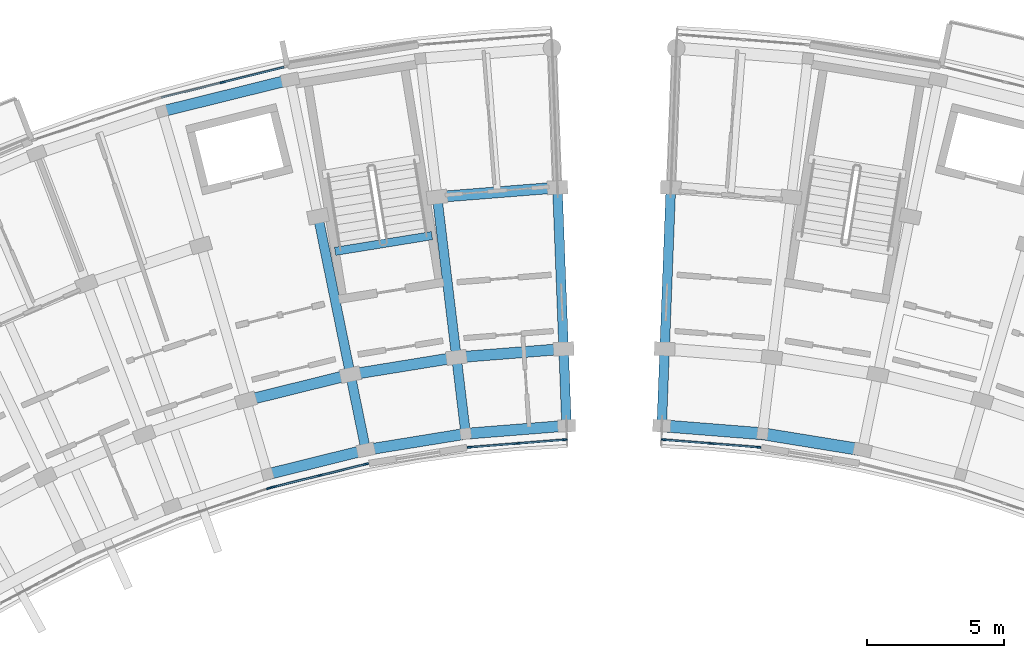
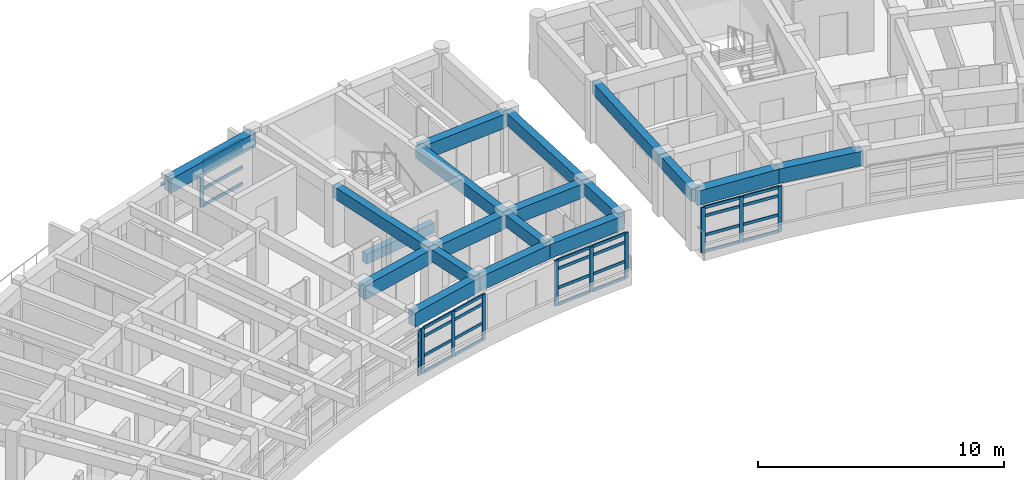
# One storey, part 11 of 50: 40 members, 19 beams, 5 elements without a shape of their own.
"""IFC4 building model written with IfcOpenShell, lengths in metres."""

import ifcopenshell
import ifcopenshell.guid

model = None  # the IFC model being written
_history = None  # IfcOwnerHistory: only IFC2X3 demands one
_inside = {}  # id of a spatial element -> (the spatial element, [elements in it])
_under = {}  # id of a project, library or spatial element -> (it, [spatial elements below it])
_declared = {}  # id of a project -> (the project, [libraries it declares])
_typed = {}  # id of a type object -> (the type object, [elements of that type])
_made_of = {}  # id of a material, layer set ... -> (it, [elements and type objects made of it])


def new_model(schema):
    """Start an empty IFC model of exactly this schema.

    Asked for "IFC4X3", IfcOpenShell would pick the latest addendum, in which some entities
    have other attributes; the version numbers below select the first issue.
    IFC2X3 requires an IfcOwnerHistory on every rooted entity: one is made here for all.
    """
    global model, _history
    if schema == "IFC4X3":
        model = ifcopenshell.file(schema_version=(4, 3, 0, 0))
    else:
        model = ifcopenshell.file(schema=schema)
    _inside.clear()
    _under.clear()
    _declared.clear()
    _typed.clear()
    _made_of.clear()
    _history = None
    if model.schema == "IFC2X3":
        org = make("IfcOrganization", Name="unknown")
        user = make(
            "IfcPersonAndOrganization",
            ThePerson=make("IfcPerson", FamilyName="unknown"),
            TheOrganization=org,
        )
        app = make(
            "IfcApplication",
            ApplicationDeveloper=org,
            Version="unknown",
            ApplicationFullName="unknown",
            ApplicationIdentifier="unknown",
        )
        _history = make(
            "IfcOwnerHistory",
            OwningUser=user,
            OwningApplication=app,
            ChangeAction="ADDED",
            CreationDate=0,
        )
    return model


def make(cls, **values):
    """One entity of the class cls with the attributes given. An attribute that is None is left unset."""
    return model.create_entity(
        cls, **{name: value for name, value in values.items() if value is not None}
    )


def rooted(cls, **values):
    """An entity with a GlobalId (a new one), such as an element, a storey or a relation."""
    return make(cls, GlobalId=ifcopenshell.guid.new(), OwnerHistory=_history, **values)


def si_unit(unit_type, name, prefix=None):
    """IfcSIUnit, for example si_unit("LENGTHUNIT", "METRE", prefix="MILLI")."""
    return make("IfcSIUnit", UnitType=unit_type, Prefix=prefix, Name=name)


def assignment(units):
    """IfcUnitAssignment: the units of a project."""
    return None if units is None else make("IfcUnitAssignment", Units=units)


def point(xyz):
    """IfcCartesianPoint."""
    return None if xyz is None else make("IfcCartesianPoint", Coordinates=xyz)


def direction(xyz):
    """IfcDirection."""
    return None if xyz is None else make("IfcDirection", DirectionRatios=xyz)


def frame(location, z_axis=None, x_axis=None):
    """IfcAxis2Placement3D, a coordinate frame: its origin and axes. An axis left out is left unset."""
    return make(
        "IfcAxis2Placement3D",
        Location=point(location),
        Axis=direction(z_axis),
        RefDirection=direction(x_axis),
    )


def frame_2d(location, x_axis=None):
    """IfcAxis2Placement2D, a coordinate frame in the plane: its origin and x axis."""
    return make(
        "IfcAxis2Placement2D", Location=point(location), RefDirection=direction(x_axis)
    )


def origin():
    """The frame at (0, 0, 0) with its axes left unset."""
    return frame((0.0, 0.0, 0.0))


def origin_2d():
    """The frame at (0, 0) in the plane with its x axis left unset."""
    return frame_2d((0.0, 0.0))


def place(relative_to, where):
    """IfcLocalPlacement: puts the frame where relative to a parent placement (None: the world)."""
    return make(
        "IfcLocalPlacement", PlacementRelTo=relative_to, RelativePlacement=where
    )


def context(
    kind, dimensions, precision=None, world=None, true_north=None, identifier=None
):
    """IfcGeometricRepresentationContext, for example the 3D "Model" context."""
    return make(
        "IfcGeometricRepresentationContext",
        ContextIdentifier=identifier,
        ContextType=kind,
        CoordinateSpaceDimension=dimensions,
        Precision=precision,
        WorldCoordinateSystem=world,
        TrueNorth=true_north,
    )


def subcontext(parent, identifier, kind, view, scale=None):
    """IfcGeometricRepresentationSubContext, for example "Body" below "Model"."""
    return make(
        "IfcGeometricRepresentationSubContext",
        ContextIdentifier=identifier,
        ContextType=kind,
        ParentContext=parent,
        TargetScale=scale,
        TargetView=view,
    )


def project(units=None, contexts=None):
    """IfcProject with its units and contexts."""
    return rooted(
        "IfcProject",
        Name="project",
        RepresentationContexts=contexts,
        UnitsInContext=assignment(units),
    )


def spatial(cls, under=None, at=None, **own):
    """A site, building, storey or space (cls), placed at a placement, below another one or the project."""
    s = rooted(cls, ObjectPlacement=at, **own)
    if under is not None:
        _under.setdefault(under.id(), (under, []))[1].append(s)
    return s


def profile(cls, at=None, kind="AREA", **sizes):
    """A parametric profile (cls). Its sizes go by their IFC names, for example OverallWidth=200.0."""
    return make(cls, ProfileType=kind, Position=at, **sizes)


def rectangle(**sizes):
    """IfcRectangleProfileDef."""
    return profile("IfcRectangleProfileDef", **sizes)


def extrude(swept, where, along, depth):
    """IfcExtrudedAreaSolid: the profile swept, set in the frame where, extruded along a direction by depth."""
    return make(
        "IfcExtrudedAreaSolid",
        SweptArea=swept,
        Position=where,
        ExtrudedDirection=direction(along),
        Depth=depth,
    )


def shape(context_of_items, identifier, shape_type, items):
    """IfcShapeRepresentation: the items that make up one representation, for example the "Body"."""
    return make(
        "IfcShapeRepresentation",
        ContextOfItems=context_of_items,
        RepresentationIdentifier=identifier,
        RepresentationType=shape_type,
        Items=items,
    )


def material(Name=None, Category=None):
    """IfcMaterial."""
    return make("IfcMaterial", Name=Name, Category=Category)


def material_profile(
    of_material, cross_section, Name=None, Category=None, Priority=None
):
    """IfcMaterialProfile: a cross section and its material."""
    return make(
        "IfcMaterialProfile",
        Name=Name,
        Material=of_material,
        Profile=cross_section,
        Priority=Priority,
        Category=Category,
    )


def profile_set(profiles, Name=None, composite=None):
    """IfcMaterialProfileSet."""
    return make(
        "IfcMaterialProfileSet",
        Name=Name,
        MaterialProfiles=profiles,
        CompositeProfile=composite,
    )


def made_of(thing, what):
    """Note that an element or type object is made of a material, layer set ...; save() writes the relation."""
    if what is not None:
        _made_of.setdefault(what.id(), (what, []))[1].append(thing)
    return thing


def type_object(cls, material=None, **own):
    """A type object (cls), such as IfcWallType, which elements share."""
    return made_of(rooted(cls, **own), material)


def element(
    cls,
    number,
    at=None,
    inside=None,
    cuts=None,
    type_object=None,
    material=None,
    context=None,
    identifier="Body",
    shape_type=None,
    held_by="IfcProductDefinitionShape",
    body=None,
    shapes=None,
    **own,
):
    """One element of the class cls, such as IfcWall. Its Tag is "e" and its number.

    at: its placement. inside: the storey or other place that contains it. cuts: it is an
    opening in that element (IfcRelVoidsElement). A single representation is given by context,
    identifier, shape_type and body (its items); several are given by shapes. held_by: the class
    of the entity that holds the representations. save() writes the other relations.
    """
    e = rooted(cls, Tag="e%d" % number, ObjectPlacement=at, **own)
    if body is not None:
        shapes = [shape(context, identifier, shape_type, body)]
    if shapes is not None:
        e.Representation = make(held_by, Representations=shapes)
    if inside is not None:
        _inside.setdefault(inside.id(), (inside, []))[1].append(e)
    if cuts is not None:
        rooted(
            "IfcRelVoidsElement", RelatingBuildingElement=cuts, RelatedOpeningElement=e
        )
    if type_object is not None:
        _typed.setdefault(type_object.id(), (type_object, []))[1].append(e)
    return made_of(e, material)


def aggregate(whole, parts):
    """IfcRelAggregates: a whole, such as a stair, and the parts it consists of."""
    return rooted("IfcRelAggregates", RelatingObject=whole, RelatedObjects=parts)


def save(model, path):
    """Write the relations noted so far, then the file.

    IfcRelAggregates (storeys below a building ...), IfcRelContainedInSpatialStructure (elements
    in a storey), IfcRelDefinesByType, IfcRelAssociatesMaterial and IfcRelDeclares: one each for
    every whole, place, type object, material and project.
    """
    for whole, parts in _under.values():
        aggregate(whole, parts)
    for where, things in _inside.values():
        rooted(
            "IfcRelContainedInSpatialStructure",
            RelatedElements=things,
            RelatingStructure=where,
        )
    for kind, things in _typed.values():
        rooted("IfcRelDefinesByType", RelatedObjects=things, RelatingType=kind)
    for what, things in _made_of.values():
        rooted("IfcRelAssociatesMaterial", RelatedObjects=things, RelatingMaterial=what)
    for by, libraries in _declared.values():
        rooted("IfcRelDeclares", RelatingContext=by, RelatedDefinitions=libraries)
    model.write(path)


model = new_model("IFC4")

# Units and contexts
model_context = context("Model", 3, precision=1e-05, world=origin(), true_north=direction((0.0, 1.0)))
body_context = subcontext(model_context, "Body", "Model", "MODEL_VIEW")
ifc_project = project(units=[si_unit("LENGTHUNIT", "METRE"), si_unit("AREAUNIT", "SQUARE_METRE"), si_unit("VOLUMEUNIT", "CUBIC_METRE"), si_unit("PLANEANGLEUNIT", "RADIAN"), si_unit("MASSUNIT", "GRAM", prefix="KILO")], contexts=[model_context])

# Site, building, storey
site_placement = place(None, origin())
site = spatial("IfcSite", under=ifc_project, at=site_placement, CompositionType="ELEMENT")
building_placement = place(site_placement, origin())
building = spatial("IfcBuilding", under=site, at=building_placement, Name="Zimvara Arc Housing Community", CompositionType="ELEMENT")
storey_placement = place(building_placement, frame((0.0, 0.0, 26.699951171875)))
storey = spatial("IfcBuildingStorey", under=building, at=storey_placement, Name="L08", CompositionType="ELEMENT", Elevation=26.699951171875)

# Beams
ifc_material_1 = material(Name="Concrete C40/50", Category="concrete")
ifc_material_profile_1 = material_profile(ifc_material_1, rectangle(XDim=0.300048828125, YDim=0.5, at=origin_2d()), Name="RC 300x500")
ifc_profile_set_1 = profile_set([ifc_material_profile_1], Name="Concrete C40/50")
beam_type_1 = type_object("IfcBeamType", Name="BM-RC-300x500", PredefinedType="BEAM", material=ifc_profile_set_1)
beam_1_placement = place(storey_placement, frame((38.3662109375, 96.509033203125, -0.25), z_axis=(-0.987080057935, -0.160227835371, 0.0), x_axis=(0.160227835371, -0.987080057935, 0.0)))
element("IfcBeam", 1, at=beam_1_placement, inside=storey, type_object=beam_type_1, Name="bm:stair_trim:ST-A2:L08:near", PredefinedType="BEAM", context=body_context, shape_type="SweptSolid", body=[
    extrude(rectangle(XDim=0.300048828125, YDim=0.5, at=origin_2d()), origin(), (0.0, 0.0, 1.0), 3.570068359375),
])
ifc_material_2 = material(Name="Concrete C40/50", Category="concrete")
ifc_material_profile_2 = material_profile(ifc_material_2, rectangle(XDim=0.35009765625, YDim=0.60009765625, at=origin_2d()), Name="RC 350x600")
ifc_profile_set_2 = profile_set([ifc_material_profile_2], Name="Concrete C40/50")
beam_type_2 = type_object("IfcBeamType", Name="BM-RC-350x600", PredefinedType="BEAM", material=ifc_profile_set_2)
beam_2_placement = place(storey_placement, frame((35.958251953125, 88.704833984375, 2.580078125), z_axis=(-0.20037341071, 0.979719600845, 0.0), x_axis=(-0.979719600845, -0.20037341071, 0.0)))
element("IfcBeam", 2, at=beam_2_placement, inside=storey, type_object=beam_type_2, Name="bm:blkA:L08:rad:b8:r01", PredefinedType="BEAM", context=body_context, shape_type="SweptSolid", body=[
    extrude(rectangle(XDim=0.35009765625, YDim=0.60009765625, at=origin_2d()), origin(), (0.0, 0.0, 1.0), 2.800048828125),
])
beam_3_placement = place(storey_placement, frame((35.397216796875, 91.447998046875, 2.580078125), z_axis=(-0.200417973989, 0.979710485655, 0.0), x_axis=(-0.979710485655, -0.200417973989, 0.0)))
element("IfcBeam", 3, at=beam_3_placement, inside=storey, type_object=beam_type_2, Name="bm:blkA:L08:rad:b8:r12", PredefinedType="BEAM", context=body_context, shape_type="SweptSolid", body=[
    extrude(rectangle(XDim=0.35009765625, YDim=0.60009765625, at=origin_2d()), origin(), (0.0, 0.0, 1.0), 5.880126953125),
])
beam_4_placement = place(storey_placement, frame((39.594970703125, 89.295166015625, 2.580078125), z_axis=(-0.119719398078, 0.992807768767, 0.0), x_axis=(-0.992807768767, -0.119719398078, 0.0)))
element("IfcBeam", 4, at=beam_4_placement, inside=storey, type_object=beam_type_2, Name="bm:blkA:L08:rad:b9:r01", PredefinedType="BEAM", context=body_context, shape_type="SweptSolid", body=[
    extrude(rectangle(XDim=0.35009765625, YDim=0.60009765625, at=origin_2d()), origin(), (0.0, 0.0, 1.0), 2.7998046875),
])
beam_5_placement = place(storey_placement, frame((39.259765625, 92.074951171875, 2.580078125), z_axis=(-0.119827921695, 0.992794676246, 0.0), x_axis=(-0.992794676246, -0.119827921695, 0.0)))
element("IfcBeam", 5, at=beam_5_placement, inside=storey, type_object=beam_type_2, Name="bm:blkA:L08:rad:b9:r12", PredefinedType="BEAM", context=body_context, shape_type="SweptSolid", body=[
    extrude(rectangle(XDim=0.35009765625, YDim=0.60009765625, at=origin_2d()), origin(), (0.0, 0.0, 1.0), 5.880126953125),
])
beam_6_placement = place(storey_placement, frame((43.267822265625, 89.586669921875, 2.580078125), z_axis=(-0.038362804793, 0.999263876665, 0.0), x_axis=(-0.999263876665, -0.038362804793, 0.0)))
element("IfcBeam", 6, at=beam_6_placement, inside=storey, type_object=beam_type_2, Name="bm:blkA:L08:rad:b10:r01", PredefinedType="BEAM", context=body_context, shape_type="SweptSolid", body=[
    extrude(rectangle(XDim=0.35009765625, YDim=0.60009765625, at=origin_2d()), origin(), (0.0, 0.0, 1.0), 2.800048828125),
])
beam_7_placement = place(storey_placement, frame((43.160400390625, 92.384765625, 2.580078125), z_axis=(-0.038366147405, 0.999263748333, 0.0), x_axis=(-0.999263748333, -0.038366147405, 0.0)))
element("IfcBeam", 7, at=beam_7_placement, inside=storey, type_object=beam_type_2, Name="bm:blkA:L08:rad:b10:r12", PredefinedType="BEAM", context=body_context, shape_type="SweptSolid", body=[
    extrude(rectangle(XDim=0.35009765625, YDim=0.60009765625, at=origin_2d()), origin(), (0.0, 0.0, 1.0), 5.8798828125),
])
beam_8_placement = place(storey_placement, frame((46.732177734375, 89.586669921875, 2.580078125), z_axis=(0.038362804793, 0.999263876665, 0.0), x_axis=(-0.999263876665, 0.038362804793, 0.0)))
element("IfcBeam", 8, at=beam_8_placement, inside=storey, type_object=beam_type_2, Name="bm:blkB:L08:rad:b0:r01", PredefinedType="BEAM", context=body_context, shape_type="SweptSolid", body=[
    extrude(rectangle(XDim=0.35009765625, YDim=0.60009765625, at=origin_2d()), origin(), (0.0, 0.0, 1.0), 2.800048828125),
])
beam_9_placement = place(storey_placement, frame((46.839599609375, 92.384765625, 2.580078125), z_axis=(0.038366147405, 0.999263748333, 0.0), x_axis=(-0.999263748333, 0.038366147405, 0.0)))
element("IfcBeam", 9, at=beam_9_placement, inside=storey, type_object=beam_type_2, Name="bm:blkB:L08:rad:b0:r12", PredefinedType="BEAM", context=body_context, shape_type="SweptSolid", body=[
    extrude(rectangle(XDim=0.35009765625, YDim=0.60009765625, at=origin_2d()), origin(), (0.0, 0.0, 1.0), 5.8798828125),
])
ifc_material_3 = material(Name="Concrete C40/50", Category="concrete")
ifc_material_profile_3 = material_profile(ifc_material_3, rectangle(XDim=0.39990234375, YDim=0.699951171875, at=origin_2d()), Name="RC 400x700")
ifc_profile_set_3 = profile_set([ifc_material_profile_3], Name="Concrete C40/50")
beam_type_3 = type_object("IfcBeamType", Name="BM-RC-400x700", PredefinedType="BEAM", material=ifc_profile_set_3)
beam_10_placement = place(storey_placement, frame((32.381591796875, 87.819580078125, 2.530029296875), z_axis=(0.970708886215, 0.240258731837, 0.0), x_axis=(-0.240258731837, 0.970708886215, 0.0)))
element("IfcBeam", 10, at=beam_10_placement, inside=storey, type_object=beam_type_3, Name="bm:blkA:L08:chord:r0:b7", PredefinedType="BEAM", context=body_context, shape_type="SweptSolid", body=[
    extrude(rectangle(XDim=0.39990234375, YDim=0.699951171875, at=origin_2d()), origin(), (0.0, 0.0, 1.0), 3.6845703125),
])
for number, where, z_axis, x_axis, name in (
    (11, (35.958251953125, 88.704833984375, 2.530029296875), (0.987079996944, 0.160228211104, 0.0), (-0.160228211104, 0.987079996944, 0.0), "bm:blkA:L08:chord:r0:b8"),
    (12, (39.594970703125, 89.295166015625, 2.530029296875), (0.996865226667, 0.079118391428, 0.0), (-0.079118391428, 0.996865226667, 0.0), "bm:blkA:L08:chord:r0:b9"),
):
    element("IfcBeam", number, at=place(storey_placement, frame(where, z_axis=z_axis, x_axis=x_axis)), inside=storey, type_object=beam_type_3, Name=name, PredefinedType="BEAM", context=body_context, shape_type="SweptSolid", body=[
        extrude(rectangle(XDim=0.39990234375, YDim=0.699951171875, at=origin_2d()), origin(), (0.0, 0.0, 1.0), 3.684326171875),
    ])
for number, where, z_axis, x_axis, name in (
    (13, (31.5986328125, 90.5078125, 2.530029296875), (0.970708671682, 0.240259598602, 0.0), (-0.240259598602, 0.970708671682, 0.0), "bm:blkA:L08:chord:r1:b7"),
    (14, (35.397216796875, 91.447998046875, 2.530029296875), (0.987081487371, 0.160219029111, 0.0), (-0.160219029111, 0.987081487371, 0.0), "bm:blkA:L08:chord:r1:b8"),
):
    element("IfcBeam", number, at=place(storey_placement, frame(where, z_axis=z_axis, x_axis=x_axis)), inside=storey, type_object=beam_type_3, Name=name, PredefinedType="BEAM", context=body_context, shape_type="SweptSolid", body=[
        extrude(rectangle(XDim=0.39990234375, YDim=0.699951171875, at=origin_2d()), origin(), (0.0, 0.0, 1.0), 3.9130859375),
    ])
beam_11_placement = place(storey_placement, frame((39.259765625, 92.074951171875, 2.530029296875), z_axis=(0.99686054795, 0.079177319606, 0.0), x_axis=(-0.079177319606, 0.99686054795, 0.0)))
element("IfcBeam", 15, at=beam_11_placement, inside=storey, type_object=beam_type_3, Name="bm:blkA:L08:chord:r1:b9", PredefinedType="BEAM", context=body_context, shape_type="SweptSolid", body=[
    extrude(rectangle(XDim=0.39990234375, YDim=0.699951171875, at=origin_2d()), origin(), (0.0, 0.0, 1.0), 3.912841796875),
])
beam_12_placement = place(storey_placement, frame((38.55517578125, 97.91259765625, 2.530029296875), z_axis=(0.996864209836, 0.079131202119, 0.0), x_axis=(-0.079131202119, 0.996864209836, 0.0)))
element("IfcBeam", 16, at=beam_12_placement, inside=storey, type_object=beam_type_3, Name="bm:blkA:L08:chord:r2:b9", PredefinedType="BEAM", context=body_context, shape_type="SweptSolid", body=[
    extrude(rectangle(XDim=0.39990234375, YDim=0.699951171875, at=origin_2d()), origin(), (0.0, 0.0, 1.0), 4.393310546875),
])
beam_13_placement = place(storey_placement, frame((28.533447265625, 101.030517578125, 2.530029296875), z_axis=(0.970716235341, 0.240229037474, 0.0), x_axis=(-0.240229037474, 0.970716235341, 0.0)))
element("IfcBeam", 17, at=beam_13_placement, inside=storey, type_object=beam_type_3, Name="bm:blkA:L08:chord:r3:b7", PredefinedType="BEAM", context=body_context, shape_type="SweptSolid", body=[
    extrude(rectangle(XDim=0.39990234375, YDim=0.699951171875, at=origin_2d()), origin(), (0.0, 0.0, 1.0), 4.80810546875),
])
ifc_material_4 = material(Name="Concrete C40/50", Category="concrete")
ifc_material_profile_4 = material_profile(ifc_material_4, rectangle(XDim=0.43994140625, YDim=0.719970703125, at=origin_2d()), Name="RC 440x720")
ifc_profile_set_4 = profile_set([ifc_material_profile_4], Name="Concrete C40/50")
beam_type_4 = type_object("IfcBeamType", Name="BM-RC-440x720", PredefinedType="BEAM", material=ifc_profile_set_4)
for number, where, z_axis, x_axis, name in (
    (18, (46.732177734375, 89.586669921875, 2.52001953125), (0.996865226667, -0.079118391428, 0.0), (0.079118391428, 0.996865226667, 0.0), "bm:blkB:L08:chord:r0:b0"),
    (19, (50.405029296875, 89.295166015625, 2.52001953125), (0.987079996944, -0.160228211104, 0.0), (0.160228211104, 0.987079996944, 0.0), "bm:blkB:L08:chord:r0:b1"),
):
    element("IfcBeam", number, at=place(storey_placement, frame(where, z_axis=z_axis, x_axis=x_axis)), inside=storey, type_object=beam_type_4, Name=name, PredefinedType="BEAM", context=body_context, shape_type="SweptSolid", body=[
        extrude(rectangle(XDim=0.43994140625, YDim=0.719970703125, at=origin_2d()), origin(), (0.0, 0.0, 1.0), 3.684326171875),
    ])

# Curtain wall, member
ifc_material_5 = material(Name="Anodised Aluminium AW-6063", Category="aluminium")
curtain_wall_type_1 = type_object("IfcCurtainWallType", Name="CW-SYS-06", PredefinedType="USERDEFINED", material=ifc_material_5)
curtain_wall_1_placement = place(storey_placement, origin())
curtain_wall_1 = element("IfcCurtainWall", 20, at=curtain_wall_1_placement, inside=storey, type_object=curtain_wall_type_1, Name="cw:blkA:L08:in:b6", ObjectType="CURTAIN WALL", PredefinedType="USERDEFINED")
ifc_material_6 = material(Name="Anodised Aluminium AW-6063", Category="aluminium")
ifc_material_profile_5 = material_profile(ifc_material_6, rectangle(XDim=0.06494140625, YDim=0.179931640625, at=origin_2d()), Name="ALU 65x180")
ifc_profile_set_5 = profile_set([ifc_material_profile_5], Name="Anodised Aluminium AW-6063")
member_type_1 = type_object("IfcMemberType", Name="CWM-65x150", PredefinedType="MULLION", material=ifc_profile_set_5)
member_1_placement = place(storey_placement, frame((32.433837890625, 87.31005859375, 0.0), z_axis=(0.0, 0.0, 1.0), x_axis=(-0.318630249383, 0.94787908732, 0.0)))
member_1 = element("IfcMember", 21, at=member_1_placement, type_object=member_type_1, Name="CW06 mullion 3", PredefinedType="MULLION", context=body_context, shape_type="SweptSolid", body=[
    extrude(rectangle(XDim=0.06494140625, YDim=0.179931640625, at=origin_2d()), origin(), (0.0, 0.0, 1.0), 2.25),
])
aggregate(curtain_wall_1, [member_1])

# Curtain wall, members
ifc_material_7 = material(Name="Anodised Aluminium AW-6063", Category="aluminium")
curtain_wall_type_2 = type_object("IfcCurtainWallType", Name="CW-SYS-08", PredefinedType="USERDEFINED", material=ifc_material_7)
curtain_wall_2_placement = place(storey_placement, origin())
curtain_wall_2 = element("IfcCurtainWall", 22, at=curtain_wall_2_placement, inside=storey, type_object=curtain_wall_type_2, Name="cw:blkA:L08:in:b7", ObjectType="CURTAIN WALL", PredefinedType="USERDEFINED")
member_2_placement = place(storey_placement, frame((32.611328125, 87.36181640625, 0.0), z_axis=(0.0, 0.0, 1.0), x_axis=(-0.240227815706, 0.970716537698, 0.0)))
member_2 = element("IfcMember", 23, at=member_2_placement, type_object=member_type_1, Name="CW08 mullion 1", PredefinedType="MULLION", context=body_context, shape_type="SweptSolid", body=[
    extrude(rectangle(XDim=0.06494140625, YDim=0.179931640625, at=origin_2d()), origin(), (0.0, 0.0, 1.0), 2.25),
])
member_3_placement = place(storey_placement, frame((34.2900390625, 87.77734375, 0.0), z_axis=(0.0, 0.0, 1.0), x_axis=(-0.240227815706, 0.970716537698, 0.0)))
member_3 = element("IfcMember", 24, at=member_3_placement, type_object=member_type_1, Name="CW08 mullion 2", PredefinedType="MULLION", context=body_context, shape_type="SweptSolid", body=[
    extrude(rectangle(XDim=0.06494140625, YDim=0.179931640625, at=origin_2d()), origin(), (0.0, 0.0, 1.0), 2.25),
])
member_4_placement = place(storey_placement, frame((35.96875, 88.192626953125, 0.0), z_axis=(0.0, 0.0, 1.0), x_axis=(-0.240227815706, 0.970716537698, 0.0)))
member_4 = element("IfcMember", 25, at=member_4_placement, type_object=member_type_1, Name="CW08 mullion 3", PredefinedType="MULLION", context=body_context, shape_type="SweptSolid", body=[
    extrude(rectangle(XDim=0.06494140625, YDim=0.179931640625, at=origin_2d()), origin(), (0.0, 0.0, 1.0), 2.25),
])

ifc_material_8 = material(Name="Anodised Aluminium AW-6063", Category="aluminium")
curtain_wall_type_3 = type_object("IfcCurtainWallType", Name="CW-SYS-02", PredefinedType="USERDEFINED", material=ifc_material_8)
curtain_wall_3_placement = place(storey_placement, origin())
curtain_wall_3 = element("IfcCurtainWall", 26, at=curtain_wall_3_placement, inside=storey, type_object=curtain_wall_type_3, Name="cw:blkA:L08:in:b9", ObjectType="CURTAIN WALL", PredefinedType="USERDEFINED")
member_5_placement = place(storey_placement, frame((39.7470703125, 88.805908203125, 0.0), z_axis=(0.0, 0.0, 1.0), x_axis=(-0.079154709897, 0.996862343506, 0.0)))
member_5 = element("IfcMember", 27, at=member_5_placement, type_object=member_type_1, Name="CW02 mullion 1", PredefinedType="MULLION", context=body_context, shape_type="SweptSolid", body=[
    extrude(rectangle(XDim=0.06494140625, YDim=0.179931640625, at=origin_2d()), origin(), (0.0, 0.0, 1.0), 2.25),
])
member_6_placement = place(storey_placement, frame((41.470947265625, 88.94287109375, 0.0), z_axis=(0.0, 0.0, 1.0), x_axis=(-0.079154709897, 0.996862343506, 0.0)))
member_6 = element("IfcMember", 28, at=member_6_placement, type_object=member_type_1, Name="CW02 mullion 2", PredefinedType="MULLION", context=body_context, shape_type="SweptSolid", body=[
    extrude(rectangle(XDim=0.06494140625, YDim=0.179931640625, at=origin_2d()), origin(), (0.0, 0.0, 1.0), 2.25),
])
member_7_placement = place(storey_placement, frame((43.19482421875, 89.079833984375, 0.0), z_axis=(0.0, 0.0, 1.0), x_axis=(-0.079154709897, 0.996862343506, 0.0)))
member_7 = element("IfcMember", 29, at=member_7_placement, type_object=member_type_1, Name="CW02 mullion 3", PredefinedType="MULLION", context=body_context, shape_type="SweptSolid", body=[
    extrude(rectangle(XDim=0.06494140625, YDim=0.179931640625, at=origin_2d()), origin(), (0.0, 0.0, 1.0), 2.25),
])

curtain_wall_4_placement = place(storey_placement, origin())
curtain_wall_4 = element("IfcCurtainWall", 30, at=curtain_wall_4_placement, inside=storey, type_object=curtain_wall_type_1, Name="cw:blkB:L08:in:b0", ObjectType="CURTAIN WALL", PredefinedType="USERDEFINED")
member_8_placement = place(storey_placement, frame((46.80517578125, 89.079833984375, 0.0), z_axis=(0.0, 0.0, 1.0), x_axis=(0.079154709897, 0.996862343506, 0.0)))
member_8 = element("IfcMember", 31, at=member_8_placement, type_object=member_type_1, Name="CW06 mullion 1", PredefinedType="MULLION", context=body_context, shape_type="SweptSolid", body=[
    extrude(rectangle(XDim=0.06494140625, YDim=0.179931640625, at=origin_2d()), origin(), (0.0, 0.0, 1.0), 2.25),
])
member_9_placement = place(storey_placement, frame((48.529052734375, 88.94287109375, 0.0), z_axis=(0.0, 0.0, 1.0), x_axis=(0.079154709897, 0.996862343506, 0.0)))
member_9 = element("IfcMember", 32, at=member_9_placement, type_object=member_type_1, Name="CW06 mullion 2", PredefinedType="MULLION", context=body_context, shape_type="SweptSolid", body=[
    extrude(rectangle(XDim=0.06494140625, YDim=0.179931640625, at=origin_2d()), origin(), (0.0, 0.0, 1.0), 2.25),
])
member_10_placement = place(storey_placement, frame((50.2529296875, 88.805908203125, 0.0), z_axis=(0.0, 0.0, 1.0), x_axis=(0.079154709897, 0.996862343506, 0.0)))
member_10 = element("IfcMember", 33, at=member_10_placement, type_object=member_type_1, Name="CW06 mullion 3", PredefinedType="MULLION", context=body_context, shape_type="SweptSolid", body=[
    extrude(rectangle(XDim=0.06494140625, YDim=0.179931640625, at=origin_2d()), origin(), (0.0, 0.0, 1.0), 2.25),
])

# Curtain wall, member
ifc_material_9 = material(Name="Anodised Aluminium AW-6063", Category="aluminium")
curtain_wall_type_4 = type_object("IfcCurtainWallType", Name="CW-SYS-07", PredefinedType="USERDEFINED", material=ifc_material_9)
curtain_wall_5_placement = place(storey_placement, origin())
curtain_wall_5 = element("IfcCurtainWall", 34, at=curtain_wall_5_placement, inside=storey, type_object=curtain_wall_type_4, Name="cw:blkA:L08:out:b7", ObjectType="CURTAIN WALL", PredefinedType="USERDEFINED")
ifc_material_10 = material(Name="Anodised Aluminium AW-6063", Category="aluminium")
ifc_material_profile_6 = material_profile(ifc_material_10, rectangle(XDim=0.06494140625, YDim=0.195068359375, at=origin_2d()), Name="ALU 65x195")
ifc_profile_set_6 = profile_set([ifc_material_profile_6], Name="Anodised Aluminium AW-6063")
member_type_2 = type_object("IfcMemberType", Name="CWM-65x180", PredefinedType="MULLION", material=ifc_profile_set_6)
member_11_placement = place(storey_placement, frame((30.7470703125, 102.093017578125, 0.0), z_axis=(0.0, 0.0, 1.0), x_axis=(-0.240229711131, 0.970716068627, 0.0)))
member_11 = element("IfcMember", 35, at=member_11_placement, type_object=member_type_2, Name="CW07 mullion 2", PredefinedType="MULLION", context=body_context, shape_type="SweptSolid", body=[
    extrude(rectangle(XDim=0.06494140625, YDim=0.195068359375, at=origin_2d()), origin(), (0.0, 0.0, 1.0), 2.25),
])

# Member
ifc_material_11 = material(Name="Anodised Aluminium AW-6063", Category="aluminium")
ifc_material_profile_7 = material_profile(ifc_material_11, rectangle(XDim=0.06494140625, YDim=0.139892578125, at=origin_2d()), Name="ALU 65x140")
ifc_profile_set_7 = profile_set([ifc_material_profile_7], Name="Anodised Aluminium AW-6063")
member_type_3 = type_object("IfcMemberType", Name="CWT-65x120", PredefinedType="USERDEFINED", material=ifc_profile_set_7)
member_12_placement = place(storey_placement, frame((32.642822265625, 87.36962890625, 0.032470703125), z_axis=(0.970700809973, 0.24029135964, 0.0), x_axis=(-0.24029135964, 0.970700809973, 0.0)))
member_12 = element("IfcMember", 36, at=member_12_placement, type_object=member_type_3, Name="CW08 transom 1.1", ObjectType="TRANSOM", PredefinedType="USERDEFINED", context=body_context, shape_type="SweptSolid", body=[
    extrude(rectangle(XDim=0.06494140625, YDim=0.139892578125, at=origin_2d()), origin(), (0.0, 0.0, 1.0), 1.664306640625),
])

member_13_placement = place(storey_placement, frame((32.642822265625, 87.36962890625, 0.85009765625), z_axis=(0.970700809973, 0.24029135964, 0.0), x_axis=(-0.24029135964, 0.970700809973, 0.0)))
member_13 = element("IfcMember", 37, at=member_13_placement, type_object=member_type_3, Name="CW08 transom 1.2", ObjectType="TRANSOM", PredefinedType="USERDEFINED", context=body_context, shape_type="SweptSolid", body=[
    extrude(rectangle(XDim=0.06494140625, YDim=0.139892578125, at=origin_2d()), origin(), (0.0, 0.0, 1.0), 1.664306640625),
])

member_14_placement = place(storey_placement, frame((32.642822265625, 87.36962890625, 1.800048828125), z_axis=(0.970700809973, 0.24029135964, 0.0), x_axis=(-0.24029135964, 0.970700809973, 0.0)))
member_14 = element("IfcMember", 38, at=member_14_placement, type_object=member_type_3, Name="CW08 transom 1.3", ObjectType="TRANSOM", PredefinedType="USERDEFINED", context=body_context, shape_type="SweptSolid", body=[
    extrude(rectangle(XDim=0.06494140625, YDim=0.139892578125, at=origin_2d()), origin(), (0.0, 0.0, 1.0), 1.664306640625),
])

member_15_placement = place(storey_placement, frame((32.642822265625, 87.36962890625, 2.217529296875), z_axis=(0.970700809973, 0.24029135964, 0.0), x_axis=(-0.24029135964, 0.970700809973, 0.0)))
member_15 = element("IfcMember", 39, at=member_15_placement, type_object=member_type_3, Name="CW08 transom 1.4", ObjectType="TRANSOM", PredefinedType="USERDEFINED", context=body_context, shape_type="SweptSolid", body=[
    extrude(rectangle(XDim=0.06494140625, YDim=0.139892578125, at=origin_2d()), origin(), (0.0, 0.0, 1.0), 1.664306640625),
])

member_16_placement = place(storey_placement, frame((34.321533203125, 87.78515625, 0.032470703125), z_axis=(0.970735018799, 0.240153124645, 0.0), x_axis=(-0.240153124645, 0.970735018799, 0.0)))
member_16 = element("IfcMember", 40, at=member_16_placement, type_object=member_type_3, Name="CW08 transom 2.1", ObjectType="TRANSOM", PredefinedType="USERDEFINED", context=body_context, shape_type="SweptSolid", body=[
    extrude(rectangle(XDim=0.06494140625, YDim=0.139892578125, at=origin_2d()), origin(), (0.0, 0.0, 1.0), 1.6640625),
])

member_17_placement = place(storey_placement, frame((34.321533203125, 87.78515625, 0.85009765625), z_axis=(0.970735018799, 0.240153124645, 0.0), x_axis=(-0.240153124645, 0.970735018799, 0.0)))
member_17 = element("IfcMember", 41, at=member_17_placement, type_object=member_type_3, Name="CW08 transom 2.2", ObjectType="TRANSOM", PredefinedType="USERDEFINED", context=body_context, shape_type="SweptSolid", body=[
    extrude(rectangle(XDim=0.06494140625, YDim=0.139892578125, at=origin_2d()), origin(), (0.0, 0.0, 1.0), 1.6640625),
])

member_18_placement = place(storey_placement, frame((34.321533203125, 87.78515625, 1.800048828125), z_axis=(0.970735018799, 0.240153124645, 0.0), x_axis=(-0.240153124645, 0.970735018799, 0.0)))
member_18 = element("IfcMember", 42, at=member_18_placement, type_object=member_type_3, Name="CW08 transom 2.3", ObjectType="TRANSOM", PredefinedType="USERDEFINED", context=body_context, shape_type="SweptSolid", body=[
    extrude(rectangle(XDim=0.06494140625, YDim=0.139892578125, at=origin_2d()), origin(), (0.0, 0.0, 1.0), 1.6640625),
])

member_19_placement = place(storey_placement, frame((34.321533203125, 87.78515625, 2.217529296875), z_axis=(0.970735018799, 0.240153124645, 0.0), x_axis=(-0.240153124645, 0.970735018799, 0.0)))
member_19 = element("IfcMember", 43, at=member_19_placement, type_object=member_type_3, Name="CW08 transom 2.4", ObjectType="TRANSOM", PredefinedType="USERDEFINED", context=body_context, shape_type="SweptSolid", body=[
    extrude(rectangle(XDim=0.06494140625, YDim=0.139892578125, at=origin_2d()), origin(), (0.0, 0.0, 1.0), 1.6640625),
])

aggregate(curtain_wall_2, [member_2, member_3, member_4, member_12, member_13, member_14, member_15, member_16, member_17, member_18, member_19])

member_20_placement = place(storey_placement, frame((39.779541015625, 88.80859375, 0.032470703125), z_axis=(0.99685804311, 0.079208849806, 0.0), x_axis=(-0.079208849806, 0.99685804311, 0.0)))
member_20 = element("IfcMember", 44, at=member_20_placement, type_object=member_type_3, Name="CW02 transom 1.1", ObjectType="TRANSOM", PredefinedType="USERDEFINED", context=body_context, shape_type="SweptSolid", body=[
    extrude(rectangle(XDim=0.06494140625, YDim=0.139892578125, at=origin_2d()), origin(), (0.0, 0.0, 1.0), 1.664306640625),
])

member_21_placement = place(storey_placement, frame((39.779541015625, 88.80859375, 0.85009765625), z_axis=(0.99685804311, 0.079208849806, 0.0), x_axis=(-0.079208849806, 0.99685804311, 0.0)))
member_21 = element("IfcMember", 45, at=member_21_placement, type_object=member_type_3, Name="CW02 transom 1.2", ObjectType="TRANSOM", PredefinedType="USERDEFINED", context=body_context, shape_type="SweptSolid", body=[
    extrude(rectangle(XDim=0.06494140625, YDim=0.139892578125, at=origin_2d()), origin(), (0.0, 0.0, 1.0), 1.664306640625),
])

member_22_placement = place(storey_placement, frame((39.779541015625, 88.80859375, 1.800048828125), z_axis=(0.99685804311, 0.079208849806, 0.0), x_axis=(-0.079208849806, 0.99685804311, 0.0)))
member_22 = element("IfcMember", 46, at=member_22_placement, type_object=member_type_3, Name="CW02 transom 1.3", ObjectType="TRANSOM", PredefinedType="USERDEFINED", context=body_context, shape_type="SweptSolid", body=[
    extrude(rectangle(XDim=0.06494140625, YDim=0.139892578125, at=origin_2d()), origin(), (0.0, 0.0, 1.0), 1.664306640625),
])

member_23_placement = place(storey_placement, frame((39.779541015625, 88.80859375, 2.217529296875), z_axis=(0.99685804311, 0.079208849806, 0.0), x_axis=(-0.079208849806, 0.99685804311, 0.0)))
member_23 = element("IfcMember", 47, at=member_23_placement, type_object=member_type_3, Name="CW02 transom 1.4", ObjectType="TRANSOM", PredefinedType="USERDEFINED", context=body_context, shape_type="SweptSolid", body=[
    extrude(rectangle(XDim=0.06494140625, YDim=0.139892578125, at=origin_2d()), origin(), (0.0, 0.0, 1.0), 1.664306640625),
])

member_24_placement = place(storey_placement, frame((41.50341796875, 88.945556640625, 0.032470703125), z_axis=(0.996869614678, 0.079063084507, 0.0), x_axis=(-0.079063084507, 0.996869614678, 0.0)))
member_24 = element("IfcMember", 48, at=member_24_placement, type_object=member_type_3, Name="CW02 transom 2.1", ObjectType="TRANSOM", PredefinedType="USERDEFINED", context=body_context, shape_type="SweptSolid", body=[
    extrude(rectangle(XDim=0.06494140625, YDim=0.139892578125, at=origin_2d()), origin(), (0.0, 0.0, 1.0), 1.664306640625),
])

member_25_placement = place(storey_placement, frame((41.50341796875, 88.945556640625, 0.85009765625), z_axis=(0.996869614678, 0.079063084507, 0.0), x_axis=(-0.079063084507, 0.996869614678, 0.0)))
member_25 = element("IfcMember", 49, at=member_25_placement, type_object=member_type_3, Name="CW02 transom 2.2", ObjectType="TRANSOM", PredefinedType="USERDEFINED", context=body_context, shape_type="SweptSolid", body=[
    extrude(rectangle(XDim=0.06494140625, YDim=0.139892578125, at=origin_2d()), origin(), (0.0, 0.0, 1.0), 1.664306640625),
])

member_26_placement = place(storey_placement, frame((41.50341796875, 88.945556640625, 1.800048828125), z_axis=(0.996869614678, 0.079063084507, 0.0), x_axis=(-0.079063084507, 0.996869614678, 0.0)))
member_26 = element("IfcMember", 50, at=member_26_placement, type_object=member_type_3, Name="CW02 transom 2.3", ObjectType="TRANSOM", PredefinedType="USERDEFINED", context=body_context, shape_type="SweptSolid", body=[
    extrude(rectangle(XDim=0.06494140625, YDim=0.139892578125, at=origin_2d()), origin(), (0.0, 0.0, 1.0), 1.664306640625),
])

member_27_placement = place(storey_placement, frame((41.50341796875, 88.945556640625, 2.217529296875), z_axis=(0.996869614678, 0.079063084507, 0.0), x_axis=(-0.079063084507, 0.996869614678, 0.0)))
member_27 = element("IfcMember", 51, at=member_27_placement, type_object=member_type_3, Name="CW02 transom 2.4", ObjectType="TRANSOM", PredefinedType="USERDEFINED", context=body_context, shape_type="SweptSolid", body=[
    extrude(rectangle(XDim=0.06494140625, YDim=0.139892578125, at=origin_2d()), origin(), (0.0, 0.0, 1.0), 1.664306640625),
])

aggregate(curtain_wall_3, [member_5, member_6, member_7, member_20, member_21, member_22, member_23, member_24, member_25, member_26, member_27])

member_28_placement = place(storey_placement, frame((46.83740234375, 89.0771484375, 0.032470703125), z_axis=(0.996869614678, -0.079063084507, 0.0), x_axis=(0.079063084507, 0.996869614678, 0.0)))
member_28 = element("IfcMember", 52, at=member_28_placement, type_object=member_type_3, Name="CW06 transom 1.1", ObjectType="TRANSOM", PredefinedType="USERDEFINED", context=body_context, shape_type="SweptSolid", body=[
    extrude(rectangle(XDim=0.06494140625, YDim=0.139892578125, at=origin_2d()), origin(), (0.0, 0.0, 1.0), 1.664306640625),
])

member_29_placement = place(storey_placement, frame((46.83740234375, 89.0771484375, 0.85009765625), z_axis=(0.996869614678, -0.079063084507, 0.0), x_axis=(0.079063084507, 0.996869614678, 0.0)))
member_29 = element("IfcMember", 53, at=member_29_placement, type_object=member_type_3, Name="CW06 transom 1.2", ObjectType="TRANSOM", PredefinedType="USERDEFINED", context=body_context, shape_type="SweptSolid", body=[
    extrude(rectangle(XDim=0.06494140625, YDim=0.139892578125, at=origin_2d()), origin(), (0.0, 0.0, 1.0), 1.664306640625),
])

member_30_placement = place(storey_placement, frame((46.83740234375, 89.0771484375, 1.800048828125), z_axis=(0.996869614678, -0.079063084507, 0.0), x_axis=(0.079063084507, 0.996869614678, 0.0)))
member_30 = element("IfcMember", 54, at=member_30_placement, type_object=member_type_3, Name="CW06 transom 1.3", ObjectType="TRANSOM", PredefinedType="USERDEFINED", context=body_context, shape_type="SweptSolid", body=[
    extrude(rectangle(XDim=0.06494140625, YDim=0.139892578125, at=origin_2d()), origin(), (0.0, 0.0, 1.0), 1.664306640625),
])

member_31_placement = place(storey_placement, frame((46.83740234375, 89.0771484375, 2.217529296875), z_axis=(0.996869614678, -0.079063084507, 0.0), x_axis=(0.079063084507, 0.996869614678, 0.0)))
member_31 = element("IfcMember", 55, at=member_31_placement, type_object=member_type_3, Name="CW06 transom 1.4", ObjectType="TRANSOM", PredefinedType="USERDEFINED", context=body_context, shape_type="SweptSolid", body=[
    extrude(rectangle(XDim=0.06494140625, YDim=0.139892578125, at=origin_2d()), origin(), (0.0, 0.0, 1.0), 1.664306640625),
])

member_32_placement = place(storey_placement, frame((48.561279296875, 88.9404296875, 0.032470703125), z_axis=(0.99685804311, -0.079208849806, 0.0), x_axis=(0.079208849806, 0.99685804311, 0.0)))
member_32 = element("IfcMember", 56, at=member_32_placement, type_object=member_type_3, Name="CW06 transom 2.1", ObjectType="TRANSOM", PredefinedType="USERDEFINED", context=body_context, shape_type="SweptSolid", body=[
    extrude(rectangle(XDim=0.06494140625, YDim=0.139892578125, at=origin_2d()), origin(), (0.0, 0.0, 1.0), 1.664306640625),
])

member_33_placement = place(storey_placement, frame((48.561279296875, 88.9404296875, 0.85009765625), z_axis=(0.99685804311, -0.079208849806, 0.0), x_axis=(0.079208849806, 0.99685804311, 0.0)))
member_33 = element("IfcMember", 57, at=member_33_placement, type_object=member_type_3, Name="CW06 transom 2.2", ObjectType="TRANSOM", PredefinedType="USERDEFINED", context=body_context, shape_type="SweptSolid", body=[
    extrude(rectangle(XDim=0.06494140625, YDim=0.139892578125, at=origin_2d()), origin(), (0.0, 0.0, 1.0), 1.664306640625),
])

member_34_placement = place(storey_placement, frame((48.561279296875, 88.9404296875, 1.800048828125), z_axis=(0.99685804311, -0.079208849806, 0.0), x_axis=(0.079208849806, 0.99685804311, 0.0)))
member_34 = element("IfcMember", 58, at=member_34_placement, type_object=member_type_3, Name="CW06 transom 2.3", ObjectType="TRANSOM", PredefinedType="USERDEFINED", context=body_context, shape_type="SweptSolid", body=[
    extrude(rectangle(XDim=0.06494140625, YDim=0.139892578125, at=origin_2d()), origin(), (0.0, 0.0, 1.0), 1.664306640625),
])

member_35_placement = place(storey_placement, frame((48.561279296875, 88.9404296875, 2.217529296875), z_axis=(0.99685804311, -0.079208849806, 0.0), x_axis=(0.079208849806, 0.99685804311, 0.0)))
member_35 = element("IfcMember", 59, at=member_35_placement, type_object=member_type_3, Name="CW06 transom 2.4", ObjectType="TRANSOM", PredefinedType="USERDEFINED", context=body_context, shape_type="SweptSolid", body=[
    extrude(rectangle(XDim=0.06494140625, YDim=0.139892578125, at=origin_2d()), origin(), (0.0, 0.0, 1.0), 1.664306640625),
])

aggregate(curtain_wall_4, [member_8, member_9, member_10, member_28, member_29, member_30, member_31, member_32, member_33, member_34, member_35])

ifc_material_12 = material(Name="Anodised Aluminium AW-6063", Category="aluminium")
ifc_material_profile_8 = material_profile(ifc_material_12, rectangle(XDim=0.06494140625, YDim=0.155029296875, at=origin_2d()), Name="ALU 65x155")
ifc_profile_set_8 = profile_set([ifc_material_profile_8], Name="Anodised Aluminium AW-6063")
member_type_4 = type_object("IfcMemberType", Name="CWT-65x140", PredefinedType="USERDEFINED", material=ifc_profile_set_8)
member_36_placement = place(storey_placement, frame((28.51513671875, 101.540771484375, 2.217529296875), z_axis=(0.970728837212, 0.240178110172, 0.0), x_axis=(-0.240178110172, 0.970728837212, 0.0)))
member_36 = element("IfcMember", 60, at=member_36_placement, type_object=member_type_4, Name="CW07 transom 1.4", ObjectType="TRANSOM", PredefinedType="USERDEFINED", context=body_context, shape_type="SweptSolid", body=[
    extrude(rectangle(XDim=0.06494140625, YDim=0.155029296875, at=origin_2d()), origin(), (0.0, 0.0, 1.0), 2.266845703125),
])

member_37_placement = place(storey_placement, frame((30.77880859375, 102.100830078125, 0.032470703125), z_axis=(0.970703721793, 0.240279596507, 0.0), x_axis=(-0.240279596507, 0.970703721793, 0.0)))
member_37 = element("IfcMember", 61, at=member_37_placement, type_object=member_type_4, Name="CW07 transom 2.1", ObjectType="TRANSOM", PredefinedType="USERDEFINED", context=body_context, shape_type="SweptSolid", body=[
    extrude(rectangle(XDim=0.06494140625, YDim=0.155029296875, at=origin_2d()), origin(), (0.0, 0.0, 1.0), 2.266845703125),
])

member_38_placement = place(storey_placement, frame((30.77880859375, 102.100830078125, 0.85009765625), z_axis=(0.970703721793, 0.240279596507, 0.0), x_axis=(-0.240279596507, 0.970703721793, 0.0)))
member_38 = element("IfcMember", 62, at=member_38_placement, type_object=member_type_4, Name="CW07 transom 2.2", ObjectType="TRANSOM", PredefinedType="USERDEFINED", context=body_context, shape_type="SweptSolid", body=[
    extrude(rectangle(XDim=0.06494140625, YDim=0.155029296875, at=origin_2d()), origin(), (0.0, 0.0, 1.0), 2.266845703125),
])

member_39_placement = place(storey_placement, frame((30.77880859375, 102.100830078125, 1.800048828125), z_axis=(0.970703721793, 0.240279596507, 0.0), x_axis=(-0.240279596507, 0.970703721793, 0.0)))
member_39 = element("IfcMember", 63, at=member_39_placement, type_object=member_type_4, Name="CW07 transom 2.3", ObjectType="TRANSOM", PredefinedType="USERDEFINED", context=body_context, shape_type="SweptSolid", body=[
    extrude(rectangle(XDim=0.06494140625, YDim=0.155029296875, at=origin_2d()), origin(), (0.0, 0.0, 1.0), 2.266845703125),
])

member_40_placement = place(storey_placement, frame((30.77880859375, 102.100830078125, 2.217529296875), z_axis=(0.970703721793, 0.240279596507, 0.0), x_axis=(-0.240279596507, 0.970703721793, 0.0)))
member_40 = element("IfcMember", 64, at=member_40_placement, type_object=member_type_4, Name="CW07 transom 2.4", ObjectType="TRANSOM", PredefinedType="USERDEFINED", context=body_context, shape_type="SweptSolid", body=[
    extrude(rectangle(XDim=0.06494140625, YDim=0.155029296875, at=origin_2d()), origin(), (0.0, 0.0, 1.0), 2.266845703125),
])

aggregate(curtain_wall_5, [member_11, member_36, member_37, member_38, member_39, member_40])

save(model, "model.ifc")
